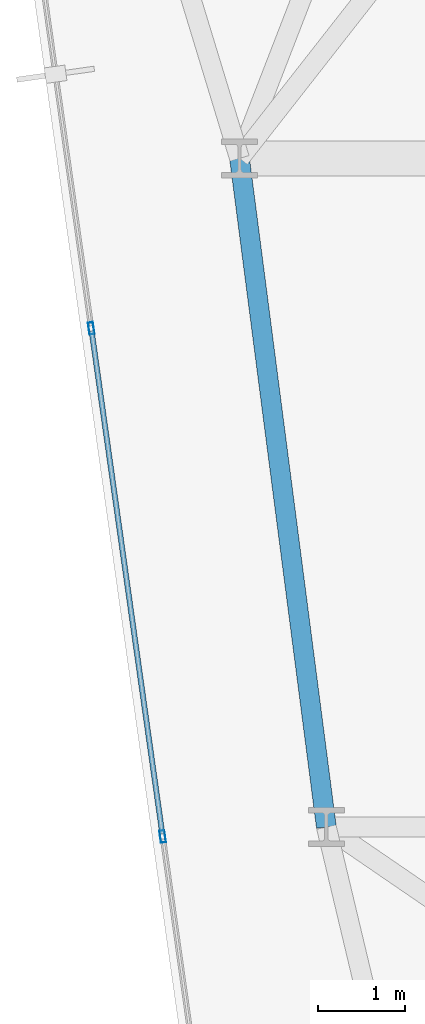
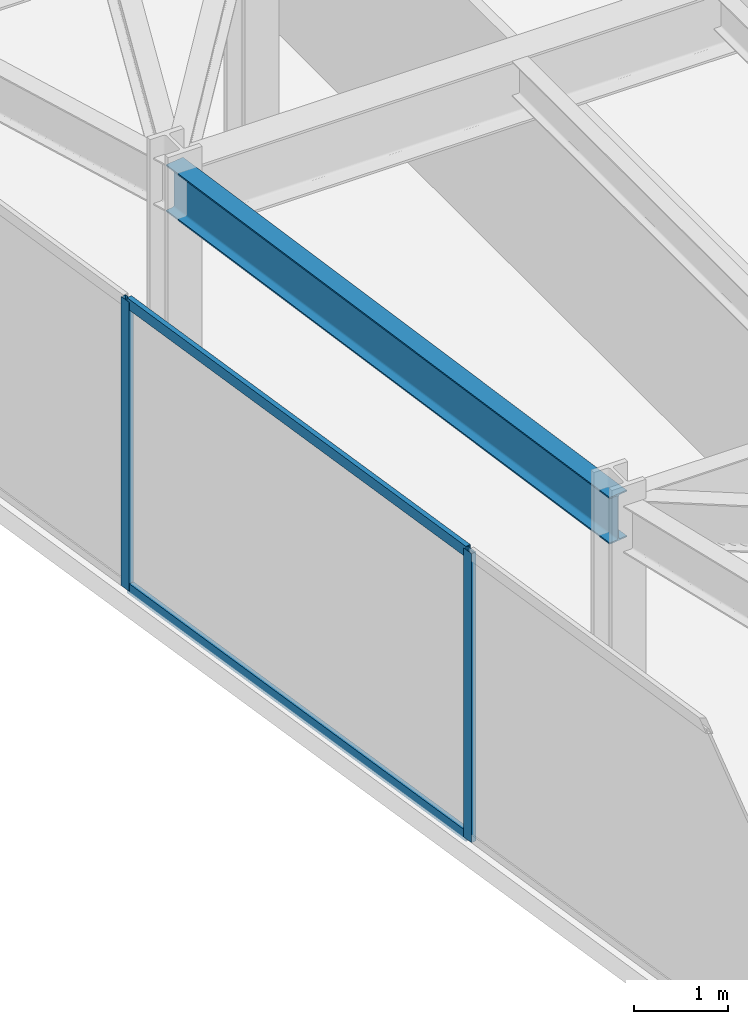
# One storey, part 5 of 26: 4 members, 1 beam, 1 element without a shape of its own.
"""IFC4 building model written with IfcOpenShell, lengths in metres."""

from ifc_helpers import new_model, si_unit, direction, frame, origin, origin_2d, place, context, subcontext, project, spatial, hollow_rectangle, i_section, extrude, material, layer, layer_set, material_profile, profile_set, type_object, element, aggregate, save


model = new_model("IFC4")

# Units and contexts
model_context = context("Model", 3, precision=1e-05, world=origin(), true_north=direction((0.0, 1.0)))
body_context = subcontext(model_context, "Body", "Model", "MODEL_VIEW")
ifc_project = project(units=[si_unit("LENGTHUNIT", "METRE"), si_unit("AREAUNIT", "SQUARE_METRE"), si_unit("VOLUMEUNIT", "CUBIC_METRE"), si_unit("PLANEANGLEUNIT", "RADIAN"), si_unit("MASSUNIT", "GRAM", prefix="KILO")], contexts=[model_context])

# Site, building, storey
site_placement = place(None, origin())
site = spatial("IfcSite", under=ifc_project, at=site_placement, CompositionType="ELEMENT")
building_placement = place(site_placement, origin())
building = spatial("IfcBuilding", under=site, at=building_placement, Name="Kravanh Interchange Tower", CompositionType="ELEMENT")
storey_placement = place(building_placement, frame((0.0, 0.0, 132.0)))
storey = spatial("IfcBuildingStorey", under=building, at=storey_placement, Name="L31", CompositionType="ELEMENT", Elevation=132.0)

# Curtain wall, members
ifc_material_1 = material(Name="Anodised Bronze Aluminium", Category="aluminium")
ifc_layer = layer(ifc_material_1, 0.179931640625)
ifc_layer_set = layer_set([ifc_layer], Name="Unitised Curtain Wall System CW-Z2 Mid Office")
curtain_wall_type = type_object("IfcCurtainWallType", Name="Unitised Curtain Wall System CW-Z2 Mid Office", PredefinedType="NOTDEFINED", material=ifc_layer_set)
curtain_wall_placement = place(storey_placement, origin())
curtain_wall = element("IfcCurtainWall", 1, at=curtain_wall_placement, inside=storey, type_object=curtain_wall_type, Name="L31 Unitised Curtain Wall CW-L31-01", PredefinedType="NOTDEFINED")
ifc_material_2 = material(Name="Anodised Bronze Aluminium", Category="aluminium")
ifc_material_profile_1 = material_profile(ifc_material_2, hollow_rectangle(XDim=0.06005859375, YDim=0.139892578125, WallThickness=0.00390625, at=origin_2d()), Name="ALU60X140X4")
ifc_profile_set_1 = profile_set([ifc_material_profile_1], Name="Anodised Bronze Aluminium")
member_type_1 = type_object("IfcMemberType", Name="Curtain Wall Mullion ALU60X140X4 Bronze", PredefinedType="MULLION", material=ifc_profile_set_1)
member_1_placement = place(storey_placement, frame((14.114990234375, 14.390869140625, 0.0), z_axis=(0.0, 0.0, 1.0), x_axis=(-0.990268103846, -0.13917285118, 0.0)))
member_1 = element("IfcMember", 2, at=member_1_placement, type_object=member_type_1, Name="CW-Z2 mullion 2", PredefinedType="MULLION", context=body_context, shape_type="SweptSolid", body=[
    extrude(hollow_rectangle(XDim=0.06005859375, YDim=0.139892578125, WallThickness=0.00390625, at=origin_2d()), origin(), (0.0, 0.0, 1.0), 3.75),
])
member_2_placement = place(storey_placement, frame((13.29248046875, 20.2431640625, 0.0), z_axis=(0.0, 0.0, 1.0), x_axis=(-0.990268103846, -0.13917285118, 0.0)))
member_2 = element("IfcMember", 3, at=member_2_placement, type_object=member_type_1, Name="CW-Z2 mullion 3", PredefinedType="MULLION", context=body_context, shape_type="SweptSolid", body=[
    extrude(hollow_rectangle(XDim=0.06005859375, YDim=0.139892578125, WallThickness=0.00390625, at=origin_2d()), origin(), (0.0, 0.0, 1.0), 3.75),
])
ifc_material_3 = material(Name="Anodised Bronze Aluminium", Category="aluminium")
ifc_material_profile_2 = material_profile(ifc_material_3, hollow_rectangle(XDim=0.06005859375, YDim=0.139892578125, WallThickness=0.00390625, at=origin_2d()), Name="ALU60X140X4")
ifc_profile_set_2 = profile_set([ifc_material_profile_2], Name="Anodised Bronze Aluminium")
member_type_2 = type_object("IfcMemberType", Name="Curtain Wall Transom ALU60X140X4 Bronze", PredefinedType="USERDEFINED", material=ifc_profile_set_2)
member_3_placement = place(storey_placement, frame((14.11083984375, 14.420654296875, 0.030029296875), z_axis=(-0.139183212647, 0.990266647584, 0.0), x_axis=(-0.990266647584, -0.139183212647, 0.0)))
member_3 = element("IfcMember", 4, at=member_3_placement, type_object=member_type_2, Name="CW-Z2 transom 2.1", ObjectType="TRANSOM", PredefinedType="USERDEFINED", context=body_context, shape_type="SweptSolid", body=[
    extrude(hollow_rectangle(XDim=0.06005859375, YDim=0.139892578125, WallThickness=0.00390625, at=origin_2d()), origin(), (0.0, 0.0, 1.0), 5.849853515625),
])
member_4_placement = place(storey_placement, frame((14.11083984375, 14.420654296875, 3.719970703125), z_axis=(-0.139183212647, 0.990266647584, 0.0), x_axis=(-0.990266647584, -0.139183212647, 0.0)))
member_4 = element("IfcMember", 5, at=member_4_placement, type_object=member_type_2, Name="CW-Z2 transom 2.2", ObjectType="TRANSOM", PredefinedType="USERDEFINED", context=body_context, shape_type="SweptSolid", body=[
    extrude(hollow_rectangle(XDim=0.06005859375, YDim=0.139892578125, WallThickness=0.00390625, at=origin_2d()), origin(), (0.0, 0.0, 1.0), 5.849853515625),
])
aggregate(curtain_wall, [member_1, member_2, member_3, member_4])

# Beam
ifc_material_4 = material(Name="Structural Steel S355", Category="steel")
ifc_material_profile_3 = material_profile(ifc_material_4, i_section(OverallWidth=0.22802734375, OverallDepth=0.60791015625, WebThickness=0.01123046875, FlangeThickness=0.017333984375, FilletRadius=0.02197265625, at=origin_2d()), Name="W24X76")
ifc_profile_set_3 = profile_set([ifc_material_profile_3], Name="Structural Steel S355")
beam_type = type_object("IfcBeamType", Name="Floor Spandrel W24X76 Structural Steel S355", PredefinedType="SPANDREL", material=ifc_profile_set_3)
beam_placement = place(storey_placement, frame((16.0, 14.5, 3.446044921875), z_axis=(-0.128789384125, 0.99167196922, 0.0), x_axis=(-0.99167196922, -0.128789384125, 0.0)))
element("IfcBeam", 6, at=beam_placement, inside=storey, type_object=beam_type, Name="L31 Perimeter Spandrel 100", PredefinedType="SPANDREL", context=body_context, shape_type="SweptSolid", body=[
    extrude(i_section(OverallWidth=0.22802734375, OverallDepth=0.60791015625, WebThickness=0.01123046875, FlangeThickness=0.017333984375, FilletRadius=0.02197265625, at=origin_2d()), origin(), (0.0, 0.0, 1.0), 7.7646484375),
])

save(model, "model.ifc")
